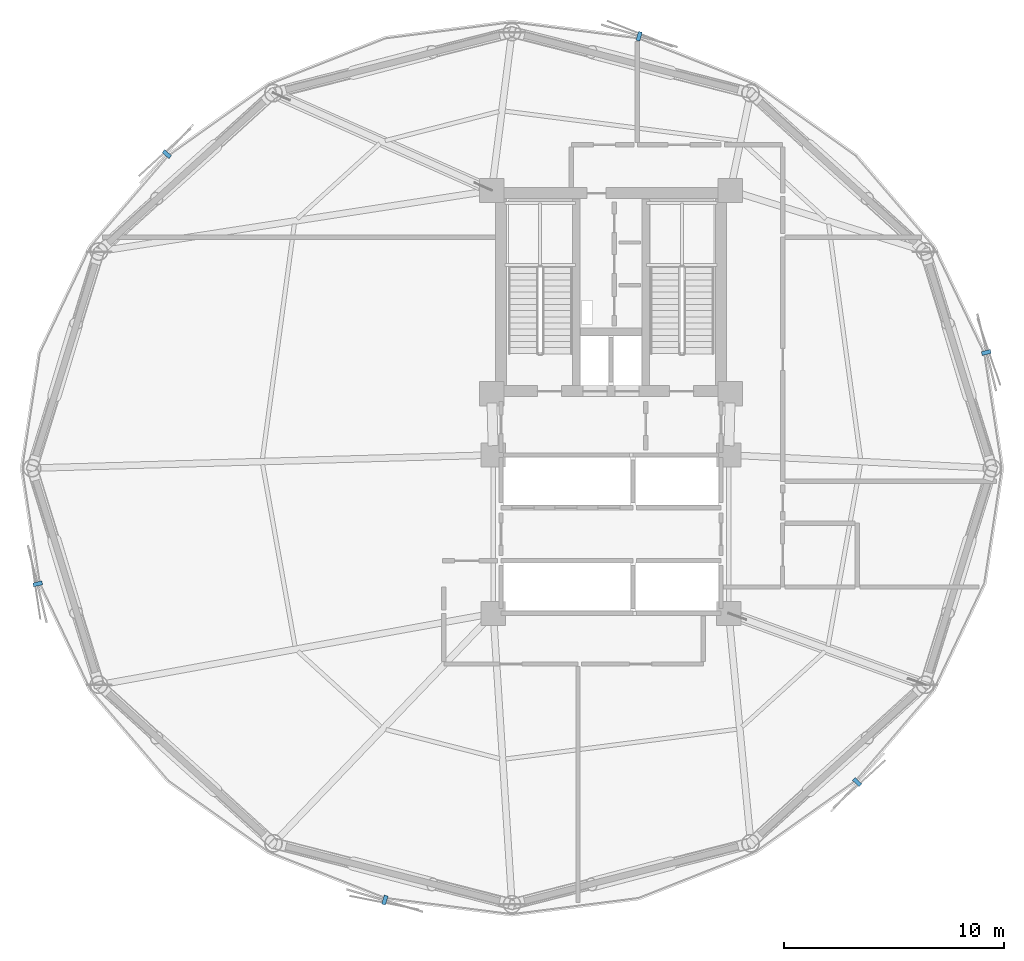
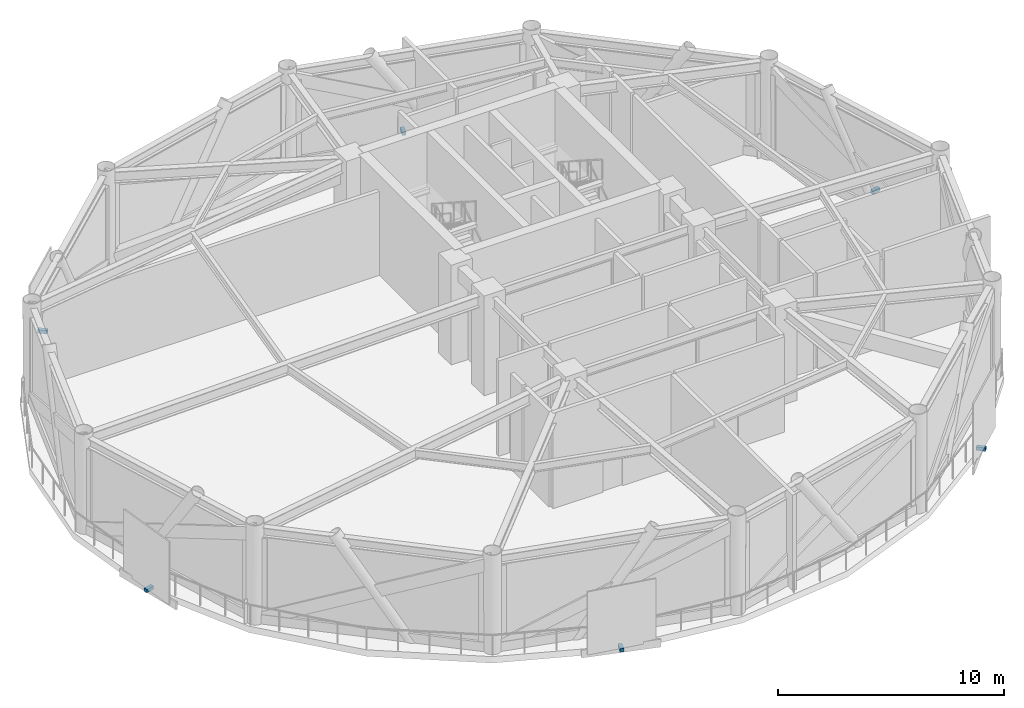
# One storey, part 5 of 8: 6 discrete accessories.
"""IFC4 building model written with IfcOpenShell, lengths in metres."""

import ifcopenshell
import ifcopenshell.guid

model = None  # the IFC model being written
_history = None  # IfcOwnerHistory: only IFC2X3 demands one
_inside = {}  # id of a spatial element -> (the spatial element, [elements in it])
_under = {}  # id of a project, library or spatial element -> (it, [spatial elements below it])
_declared = {}  # id of a project -> (the project, [libraries it declares])
_typed = {}  # id of a type object -> (the type object, [elements of that type])
_made_of = {}  # id of a material, layer set ... -> (it, [elements and type objects made of it])


def new_model(schema):
    """Start an empty IFC model of exactly this schema.

    Asked for "IFC4X3", IfcOpenShell would pick the latest addendum, in which some entities
    have other attributes; the version numbers below select the first issue.
    IFC2X3 requires an IfcOwnerHistory on every rooted entity: one is made here for all.
    """
    global model, _history
    if schema == "IFC4X3":
        model = ifcopenshell.file(schema_version=(4, 3, 0, 0))
    else:
        model = ifcopenshell.file(schema=schema)
    _inside.clear()
    _under.clear()
    _declared.clear()
    _typed.clear()
    _made_of.clear()
    _history = None
    if model.schema == "IFC2X3":
        org = make("IfcOrganization", Name="unknown")
        user = make(
            "IfcPersonAndOrganization",
            ThePerson=make("IfcPerson", FamilyName="unknown"),
            TheOrganization=org,
        )
        app = make(
            "IfcApplication",
            ApplicationDeveloper=org,
            Version="unknown",
            ApplicationFullName="unknown",
            ApplicationIdentifier="unknown",
        )
        _history = make(
            "IfcOwnerHistory",
            OwningUser=user,
            OwningApplication=app,
            ChangeAction="ADDED",
            CreationDate=0,
        )
    return model


def make(cls, **values):
    """One entity of the class cls with the attributes given. An attribute that is None is left unset."""
    return model.create_entity(
        cls, **{name: value for name, value in values.items() if value is not None}
    )


def rooted(cls, **values):
    """An entity with a GlobalId (a new one), such as an element, a storey or a relation."""
    return make(cls, GlobalId=ifcopenshell.guid.new(), OwnerHistory=_history, **values)


def si_unit(unit_type, name, prefix=None):
    """IfcSIUnit, for example si_unit("LENGTHUNIT", "METRE", prefix="MILLI")."""
    return make("IfcSIUnit", UnitType=unit_type, Prefix=prefix, Name=name)


def assignment(units):
    """IfcUnitAssignment: the units of a project."""
    return None if units is None else make("IfcUnitAssignment", Units=units)


def point(xyz):
    """IfcCartesianPoint."""
    return None if xyz is None else make("IfcCartesianPoint", Coordinates=xyz)


def direction(xyz):
    """IfcDirection."""
    return None if xyz is None else make("IfcDirection", DirectionRatios=xyz)


def frame(location, z_axis=None, x_axis=None):
    """IfcAxis2Placement3D, a coordinate frame: its origin and axes. An axis left out is left unset."""
    return make(
        "IfcAxis2Placement3D",
        Location=point(location),
        Axis=direction(z_axis),
        RefDirection=direction(x_axis),
    )


def frame_2d(location, x_axis=None):
    """IfcAxis2Placement2D, a coordinate frame in the plane: its origin and x axis."""
    return make(
        "IfcAxis2Placement2D", Location=point(location), RefDirection=direction(x_axis)
    )


def origin():
    """The frame at (0, 0, 0) with its axes left unset."""
    return frame((0.0, 0.0, 0.0))


def origin_2d():
    """The frame at (0, 0) in the plane with its x axis left unset."""
    return frame_2d((0.0, 0.0))


def place(relative_to, where):
    """IfcLocalPlacement: puts the frame where relative to a parent placement (None: the world)."""
    return make(
        "IfcLocalPlacement", PlacementRelTo=relative_to, RelativePlacement=where
    )


def context(
    kind, dimensions, precision=None, world=None, true_north=None, identifier=None
):
    """IfcGeometricRepresentationContext, for example the 3D "Model" context."""
    return make(
        "IfcGeometricRepresentationContext",
        ContextIdentifier=identifier,
        ContextType=kind,
        CoordinateSpaceDimension=dimensions,
        Precision=precision,
        WorldCoordinateSystem=world,
        TrueNorth=true_north,
    )


def subcontext(parent, identifier, kind, view, scale=None):
    """IfcGeometricRepresentationSubContext, for example "Body" below "Model"."""
    return make(
        "IfcGeometricRepresentationSubContext",
        ContextIdentifier=identifier,
        ContextType=kind,
        ParentContext=parent,
        TargetScale=scale,
        TargetView=view,
    )


def project(units=None, contexts=None):
    """IfcProject with its units and contexts."""
    return rooted(
        "IfcProject",
        Name="project",
        RepresentationContexts=contexts,
        UnitsInContext=assignment(units),
    )


def spatial(cls, under=None, at=None, **own):
    """A site, building, storey or space (cls), placed at a placement, below another one or the project."""
    s = rooted(cls, ObjectPlacement=at, **own)
    if under is not None:
        _under.setdefault(under.id(), (under, []))[1].append(s)
    return s


def profile(cls, at=None, kind="AREA", **sizes):
    """A parametric profile (cls). Its sizes go by their IFC names, for example OverallWidth=200.0."""
    return make(cls, ProfileType=kind, Position=at, **sizes)


def rectangle(**sizes):
    """IfcRectangleProfileDef."""
    return profile("IfcRectangleProfileDef", **sizes)


def extrude(swept, where, along, depth):
    """IfcExtrudedAreaSolid: the profile swept, set in the frame where, extruded along a direction by depth."""
    return make(
        "IfcExtrudedAreaSolid",
        SweptArea=swept,
        Position=where,
        ExtrudedDirection=direction(along),
        Depth=depth,
    )


def shape(context_of_items, identifier, shape_type, items):
    """IfcShapeRepresentation: the items that make up one representation, for example the "Body"."""
    return make(
        "IfcShapeRepresentation",
        ContextOfItems=context_of_items,
        RepresentationIdentifier=identifier,
        RepresentationType=shape_type,
        Items=items,
    )


def source(mapping_origin, context_of_items, identifier, shape_type, items):
    """IfcRepresentationMap: a shape defined once, which mapped items show again and again."""
    return make(
        "IfcRepresentationMap",
        MappingOrigin=mapping_origin,
        MappedRepresentation=shape(context_of_items, identifier, shape_type, items),
    )


def transform(
    local_origin,
    x_axis=None,
    y_axis=None,
    z_axis=None,
    scale=None,
    scale2=None,
    scale3=None,
    uniform=True,
):
    """IfcCartesianTransformationOperator3D, or its non-uniform kind. x_axis, y_axis, z_axis: its Axis1, 2, 3."""
    if uniform:
        return make(
            "IfcCartesianTransformationOperator3D",
            Axis1=direction(x_axis),
            Axis2=direction(y_axis),
            LocalOrigin=point(local_origin),
            Scale=scale,
            Axis3=direction(z_axis),
        )
    return make(
        "IfcCartesianTransformationOperator3DnonUniform",
        Axis1=direction(x_axis),
        Axis2=direction(y_axis),
        LocalOrigin=point(local_origin),
        Scale=scale,
        Axis3=direction(z_axis),
        Scale2=scale2,
        Scale3=scale3,
    )


def mapped(mapping_source, mapping_target):
    """IfcMappedItem: shows the shape of a source again, moved by a transform."""
    return make(
        "IfcMappedItem", MappingSource=mapping_source, MappingTarget=mapping_target
    )


def material(Name=None, Category=None):
    """IfcMaterial."""
    return make("IfcMaterial", Name=Name, Category=Category)


def made_of(thing, what):
    """Note that an element or type object is made of a material, layer set ...; save() writes the relation."""
    if what is not None:
        _made_of.setdefault(what.id(), (what, []))[1].append(thing)
    return thing


def type_object(cls, material=None, **own):
    """A type object (cls), such as IfcWallType, which elements share."""
    return made_of(rooted(cls, **own), material)


def type_shapes(of_type, sources):
    """Give a type object the sources (RepresentationMaps) that its elements show as mapped items."""
    of_type.RepresentationMaps = sources


def element(
    cls,
    number,
    at=None,
    inside=None,
    cuts=None,
    type_object=None,
    material=None,
    context=None,
    identifier="Body",
    shape_type=None,
    held_by="IfcProductDefinitionShape",
    body=None,
    shapes=None,
    **own,
):
    """One element of the class cls, such as IfcWall. Its Tag is "e" and its number.

    at: its placement. inside: the storey or other place that contains it. cuts: it is an
    opening in that element (IfcRelVoidsElement). A single representation is given by context,
    identifier, shape_type and body (its items); several are given by shapes. held_by: the class
    of the entity that holds the representations. save() writes the other relations.
    """
    e = rooted(cls, Tag="e%d" % number, ObjectPlacement=at, **own)
    if body is not None:
        shapes = [shape(context, identifier, shape_type, body)]
    if shapes is not None:
        e.Representation = make(held_by, Representations=shapes)
    if inside is not None:
        _inside.setdefault(inside.id(), (inside, []))[1].append(e)
    if cuts is not None:
        rooted(
            "IfcRelVoidsElement", RelatingBuildingElement=cuts, RelatedOpeningElement=e
        )
    if type_object is not None:
        _typed.setdefault(type_object.id(), (type_object, []))[1].append(e)
    return made_of(e, material)


def aggregate(whole, parts):
    """IfcRelAggregates: a whole, such as a stair, and the parts it consists of."""
    return rooted("IfcRelAggregates", RelatingObject=whole, RelatedObjects=parts)


def save(model, path):
    """Write the relations noted so far, then the file.

    IfcRelAggregates (storeys below a building ...), IfcRelContainedInSpatialStructure (elements
    in a storey), IfcRelDefinesByType, IfcRelAssociatesMaterial and IfcRelDeclares: one each for
    every whole, place, type object, material and project.
    """
    for whole, parts in _under.values():
        aggregate(whole, parts)
    for where, things in _inside.values():
        rooted(
            "IfcRelContainedInSpatialStructure",
            RelatedElements=things,
            RelatingStructure=where,
        )
    for kind, things in _typed.values():
        rooted("IfcRelDefinesByType", RelatedObjects=things, RelatingType=kind)
    for what, things in _made_of.values():
        rooted("IfcRelAssociatesMaterial", RelatedObjects=things, RelatingMaterial=what)
    for by, libraries in _declared.values():
        rooted("IfcRelDeclares", RelatingContext=by, RelatedDefinitions=libraries)
    model.write(path)


model = new_model("IFC4")

# Units and contexts
model_context = context("Model", 3, precision=1e-05, world=origin(), true_north=direction((0.0, 1.0)))
body_context = subcontext(model_context, "Body", "Model", "MODEL_VIEW")
ifc_project = project(units=[si_unit("LENGTHUNIT", "METRE"), si_unit("AREAUNIT", "SQUARE_METRE"), si_unit("VOLUMEUNIT", "CUBIC_METRE"), si_unit("PLANEANGLEUNIT", "RADIAN"), si_unit("MASSUNIT", "GRAM", prefix="KILO")], contexts=[model_context])

# Site, building, storey
site_placement = place(None, origin())
site = spatial("IfcSite", under=ifc_project, at=site_placement, CompositionType="ELEMENT")
building_placement = place(site_placement, origin())
building = spatial("IfcBuilding", under=site, at=building_placement, Name="Varnakorn Sky Granary", CompositionType="ELEMENT")
storey_placement = place(building_placement, frame((0.0, 0.0, 78.300048828125)))
storey = spatial("IfcBuildingStorey", under=building, at=storey_placement, Name="L19", CompositionType="ELEMENT", Elevation=78.300048828125)

# Discrete accessories
ifc_material = material(Name="Steel S355JR", Category="steel")
discrete_accessory_type = type_object("IfcDiscreteAccessoryType", Name="AC-BRK-01", PredefinedType="BRACKET", material=ifc_material)
shared_shape = source(origin(), body_context, "Body", "SweptSolid", [
    extrude(rectangle(XDim=0.179931640625, YDim=0.419921875, at=origin_2d()), origin(), (0.0, 0.0, 1.0), 0.179931640625),
])
type_shapes(discrete_accessory_type, [shared_shape])
for number, where, z_axis, x_axis, name in (
    (1, (20.056396484375, 5.257568359375, -0.2001953125), (0.0, 0.0, 1.0), (-0.236956388819, 0.971520287898, 0.0), "Facade Solar-Screen Outrigger Bracket L19-01"),
    (2, (4.278564453125, 19.630615234375, -0.2001953125), (0.0, 0.0, 1.0), (-0.959301370998, 0.282384276476, 0.0), "Facade Solar-Screen Outrigger Bracket L19-03"),
    (3, (-17.188232421875, 14.271728515625, -0.2001953125), (0.0, 0.0, 1.0), (-0.672920344353, -0.739714951962, 0.0), "Facade Solar-Screen Outrigger Bracket L19-05"),
    (4, (-23.056396484375, -5.257568359375, -0.2001953125), (0.0, 0.0, 1.0), (0.236956388819, -0.971520287898, 0.0), "Facade Solar-Screen Outrigger Bracket L19-07"),
    (5, (-7.278564453125, -19.630615234375, -0.2001953125), (0.0, 0.0, 1.0), (0.959301370998, -0.282384276476, 0.0), "Facade Solar-Screen Outrigger Bracket L19-09"),
    (6, (14.188232421875, -14.271728515625, -0.2001953125), (0.0, 0.0, 1.0), (0.672920344353, 0.739714951962, 0.0), "Facade Solar-Screen Outrigger Bracket L19-11"),
):
    element("IfcDiscreteAccessory", number, at=place(storey_placement, frame(where, z_axis=z_axis, x_axis=x_axis)), inside=storey, type_object=discrete_accessory_type, Name=name, PredefinedType="BRACKET", context=body_context, shape_type="MappedRepresentation", body=[
        mapped(shared_shape, transform((0.0, 0.0, 0.0), x_axis=(1.0, 0.0, 0.0), y_axis=(0.0, 1.0, 0.0), z_axis=(0.0, 0.0, 1.0), scale=1.0)),
    ])

save(model, "model.ifc")
